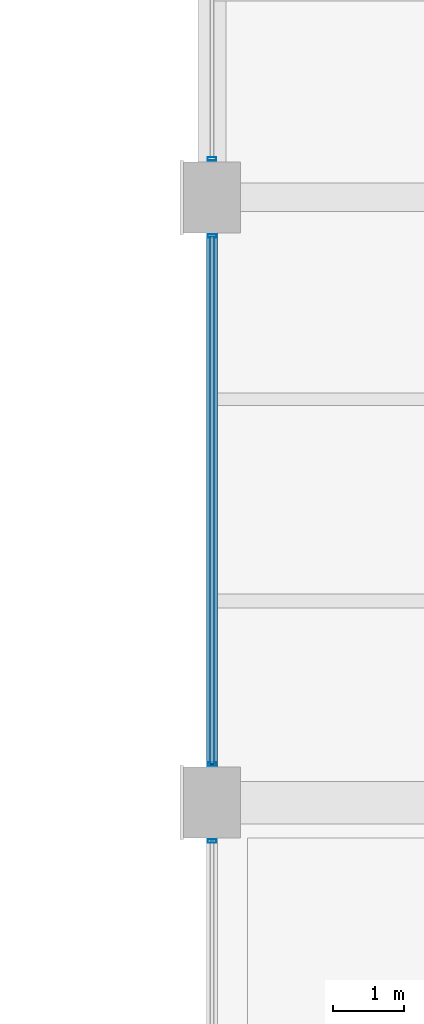
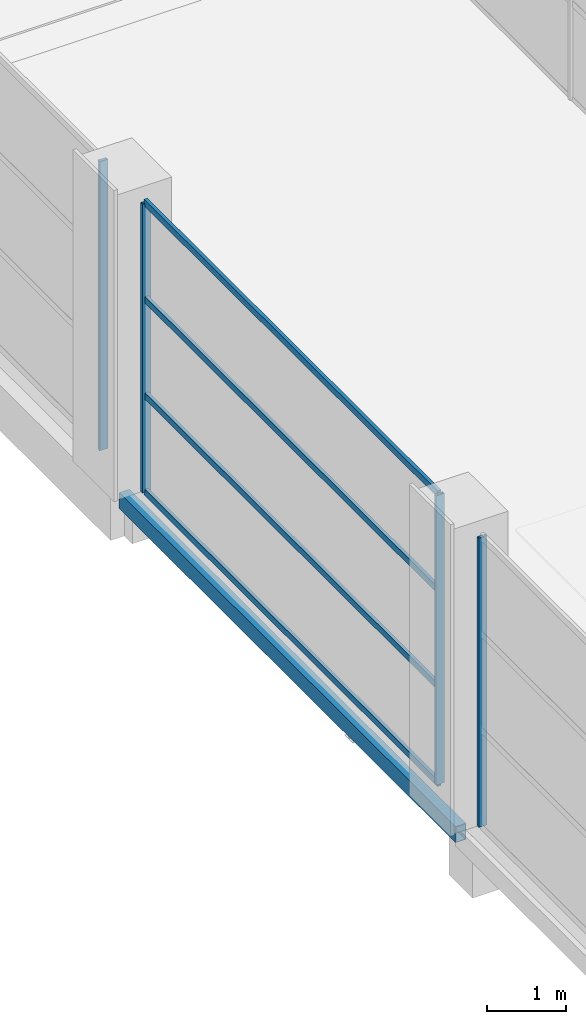
# One storey, part 53 of 112: 8 members, 1 beam, 3 elements without a shape of their own.
"""IFC4 building model written with IfcOpenShell, lengths in metres."""

from ifc_helpers import new_model, si_unit, direction, frame, origin, origin_2d, place, context, subcontext, project, spatial, hollow_rectangle, extrude, material, material_profile, profile_set, type_object, element, aggregate, save


model = new_model("IFC4")

# Units and contexts
model_context = context("Model", 3, precision=1e-05, world=origin(), true_north=direction((0.0, 1.0)))
body_context = subcontext(model_context, "Body", "Model", "MODEL_VIEW")
ifc_project = project(units=[si_unit("LENGTHUNIT", "METRE"), si_unit("AREAUNIT", "SQUARE_METRE"), si_unit("VOLUMEUNIT", "CUBIC_METRE"), si_unit("PLANEANGLEUNIT", "RADIAN"), si_unit("MASSUNIT", "GRAM", prefix="KILO")], contexts=[model_context])

# Site, building, storey
site_placement = place(None, origin())
site = spatial("IfcSite", under=ifc_project, at=site_placement, CompositionType="ELEMENT")
building_placement = place(site_placement, origin())
building = spatial("IfcBuilding", under=site, at=building_placement, Name="Solvikara Media Centre", CompositionType="ELEMENT")
storey_placement = place(building_placement, frame((0.0, 0.0, 5.39990234375)))
storey = spatial("IfcBuildingStorey", under=building, at=storey_placement, Name="L01", CompositionType="ELEMENT", Elevation=5.39990234375)

# Beam
ifc_material_1 = material(Name="Steel S355JR", Category="steel")
ifc_material_profile_1 = material_profile(ifc_material_1, hollow_rectangle(XDim=0.14990234375, YDim=0.25, WallThickness=0.008056640625, at=origin_2d()), Name="RHS 250x150x8")
ifc_profile_set_1 = profile_set([ifc_material_profile_1], Name="Steel S355JR")
beam_type = type_object("IfcBeamType", Name="BM-36", PredefinedType="JOIST", material=ifc_profile_set_1)
beam_placement = place(storey_placement, frame((127.5, 72.0, -0.427001953125), z_axis=(0.0, 1.0, 0.0), x_axis=(-1.0, 0.0, 0.0)))
element("IfcBeam", 1, at=beam_placement, inside=storey, type_object=beam_type, Name="B-L01-Y0606", PredefinedType="JOIST", context=body_context, shape_type="SweptSolid", body=[
    extrude(hollow_rectangle(XDim=0.14990234375, YDim=0.25, WallThickness=0.008056640625, at=origin_2d()), origin(), (0.0, 0.0, 1.0), 8.5),
])

# Curtain wall, member
ifc_material_2 = material(Name="Anodised aluminium EN AW-6063", Category="aluminium")
curtain_wall_type = type_object("IfcCurtainWallType", Name="CW-12", PredefinedType="NOTDEFINED", material=ifc_material_2)
curtain_wall_1_placement = place(storey_placement, origin())
curtain_wall_1 = element("IfcCurtainWall", 2, at=curtain_wall_1_placement, inside=storey, type_object=curtain_wall_type, Name="CW-L01-V2W-S2", PredefinedType="NOTDEFINED")
ifc_material_profile_2 = material_profile(ifc_material_2, hollow_rectangle(XDim=0.050048828125, YDim=0.1201171875, WallThickness=0.0029296875, at=origin_2d()), Name="ALU-M 50x120x3")
ifc_profile_set_2 = profile_set([ifc_material_profile_2], Name="Anodised aluminium EN AW-6063")
member_type_1 = type_object("IfcMemberType", Name="MF-06", PredefinedType="MULLION", material=ifc_profile_set_2)
member_1_placement = place(storey_placement, frame((127.5, 71.4599609375, 0.02001953125), z_axis=(0.0, 0.0, 1.0), x_axis=(0.0, 1.0, 0.0)))
member_1 = element("IfcMember", 3, at=member_1_placement, type_object=member_type_1, Name="CW-L01-V2W-S2-M02", PredefinedType="MULLION", context=body_context, shape_type="SweptSolid", body=[
    extrude(hollow_rectangle(XDim=0.050048828125, YDim=0.1201171875, WallThickness=0.0029296875, at=origin_2d()), origin(), (0.0, 0.0, 1.0), 4.4599609375),
])
aggregate(curtain_wall_1, [member_1])

# Curtain wall, members
curtain_wall_2_placement = place(storey_placement, origin())
curtain_wall_2 = element("IfcCurtainWall", 4, at=curtain_wall_2_placement, inside=storey, type_object=curtain_wall_type, Name="CW-L01-V2W-S3", PredefinedType="NOTDEFINED")
member_2_placement = place(storey_placement, frame((127.5, 72.5400390625, 0.02001953125), z_axis=(0.0, 0.0, 1.0), x_axis=(0.0, 1.0, 0.0)))
member_2 = element("IfcMember", 5, at=member_2_placement, type_object=member_type_1, Name="CW-L01-V2W-S3-M00", PredefinedType="MULLION", context=body_context, shape_type="SweptSolid", body=[
    extrude(hollow_rectangle(XDim=0.050048828125, YDim=0.1201171875, WallThickness=0.0029296875, at=origin_2d()), origin(), (0.0, 0.0, 1.0), 4.4599609375),
])
member_3_placement = place(storey_placement, frame((127.5, 79.9599609375, 0.02001953125), z_axis=(0.0, 0.0, 1.0), x_axis=(0.0, 1.0, 0.0)))
member_3 = element("IfcMember", 6, at=member_3_placement, type_object=member_type_1, Name="CW-L01-V2W-S3-M01", PredefinedType="MULLION", context=body_context, shape_type="SweptSolid", body=[
    extrude(hollow_rectangle(XDim=0.050048828125, YDim=0.1201171875, WallThickness=0.0029296875, at=origin_2d()), origin(), (0.0, 0.0, 1.0), 4.4599609375),
])

# Curtain wall, member
curtain_wall_3_placement = place(storey_placement, origin())
curtain_wall_3 = element("IfcCurtainWall", 7, at=curtain_wall_3_placement, inside=storey, type_object=curtain_wall_type, Name="CW-L01-V2W-S4", PredefinedType="NOTDEFINED")
member_4_placement = place(storey_placement, frame((127.5, 81.0400390625, 0.02001953125), z_axis=(0.0, 0.0, 1.0), x_axis=(0.0, 1.0, 0.0)))
member_4 = element("IfcMember", 8, at=member_4_placement, type_object=member_type_1, Name="CW-L01-V2W-S4-M00", PredefinedType="MULLION", context=body_context, shape_type="SweptSolid", body=[
    extrude(hollow_rectangle(XDim=0.050048828125, YDim=0.1201171875, WallThickness=0.0029296875, at=origin_2d()), origin(), (0.0, 0.0, 1.0), 4.4599609375),
])
aggregate(curtain_wall_3, [member_4])

# Member
ifc_material_profile_3 = material_profile(ifc_material_2, hollow_rectangle(XDim=0.050048828125, YDim=0.10009765625, WallThickness=0.0029296875, at=origin_2d()), Name="ALU-T 50x100x3")
ifc_profile_set_3 = profile_set([ifc_material_profile_3], Name="Anodised aluminium EN AW-6063")
member_type_2 = type_object("IfcMemberType", Name="MF-12", PredefinedType="USERDEFINED", material=ifc_profile_set_3)
member_5_placement = place(storey_placement, frame((127.5, 72.5400390625, 0.02001953125), z_axis=(0.0, 1.0, 0.0), x_axis=(-1.0, 0.0, 0.0)))
member_5 = element("IfcMember", 9, at=member_5_placement, type_object=member_type_2, Name="CW-L01-V2W-S3-T00", ObjectType="TRANSOM", PredefinedType="USERDEFINED", context=body_context, shape_type="SweptSolid", body=[
    extrude(hollow_rectangle(XDim=0.050048828125, YDim=0.10009765625, WallThickness=0.0029296875, at=origin_2d()), origin(), (0.0, 0.0, 1.0), 7.419921875),
])

member_6_placement = place(storey_placement, frame((127.5, 72.5400390625, 1.507080078125), z_axis=(0.0, 1.0, 0.0), x_axis=(-1.0, 0.0, 0.0)))
member_6 = element("IfcMember", 10, at=member_6_placement, type_object=member_type_2, Name="CW-L01-V2W-S3-T01", ObjectType="TRANSOM", PredefinedType="USERDEFINED", context=body_context, shape_type="SweptSolid", body=[
    extrude(hollow_rectangle(XDim=0.050048828125, YDim=0.10009765625, WallThickness=0.0029296875, at=origin_2d()), origin(), (0.0, 0.0, 1.0), 7.419921875),
])

member_7_placement = place(storey_placement, frame((127.5, 72.5400390625, 2.9931640625), z_axis=(0.0, 1.0, 0.0), x_axis=(-1.0, 0.0, 0.0)))
member_7 = element("IfcMember", 11, at=member_7_placement, type_object=member_type_2, Name="CW-L01-V2W-S3-T02", ObjectType="TRANSOM", PredefinedType="USERDEFINED", context=body_context, shape_type="SweptSolid", body=[
    extrude(hollow_rectangle(XDim=0.050048828125, YDim=0.10009765625, WallThickness=0.0029296875, at=origin_2d()), origin(), (0.0, 0.0, 1.0), 7.419921875),
])

member_8_placement = place(storey_placement, frame((127.5, 72.5400390625, 4.47998046875), z_axis=(0.0, 1.0, 0.0), x_axis=(-1.0, 0.0, 0.0)))
member_8 = element("IfcMember", 12, at=member_8_placement, type_object=member_type_2, Name="CW-L01-V2W-S3-T03", ObjectType="TRANSOM", PredefinedType="USERDEFINED", context=body_context, shape_type="SweptSolid", body=[
    extrude(hollow_rectangle(XDim=0.050048828125, YDim=0.10009765625, WallThickness=0.0029296875, at=origin_2d()), origin(), (0.0, 0.0, 1.0), 7.419921875),
])

aggregate(curtain_wall_2, [member_2, member_3, member_5, member_6, member_7, member_8])

save(model, "model.ifc")
